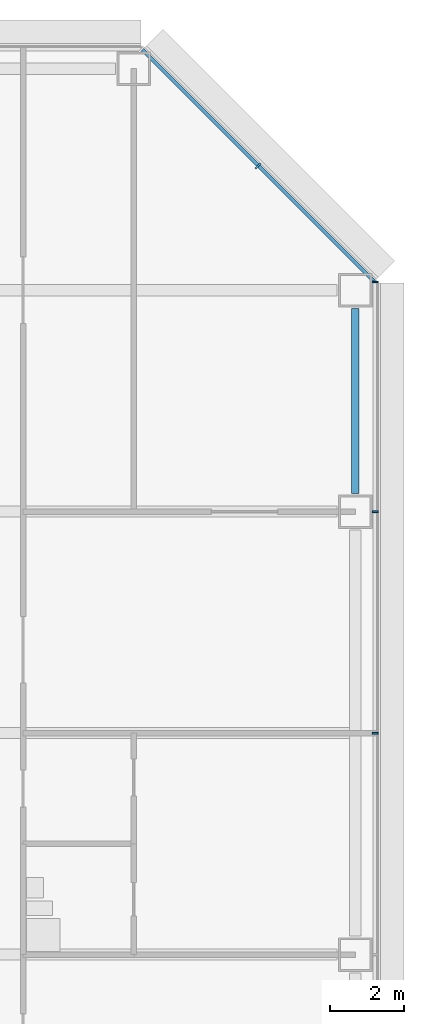
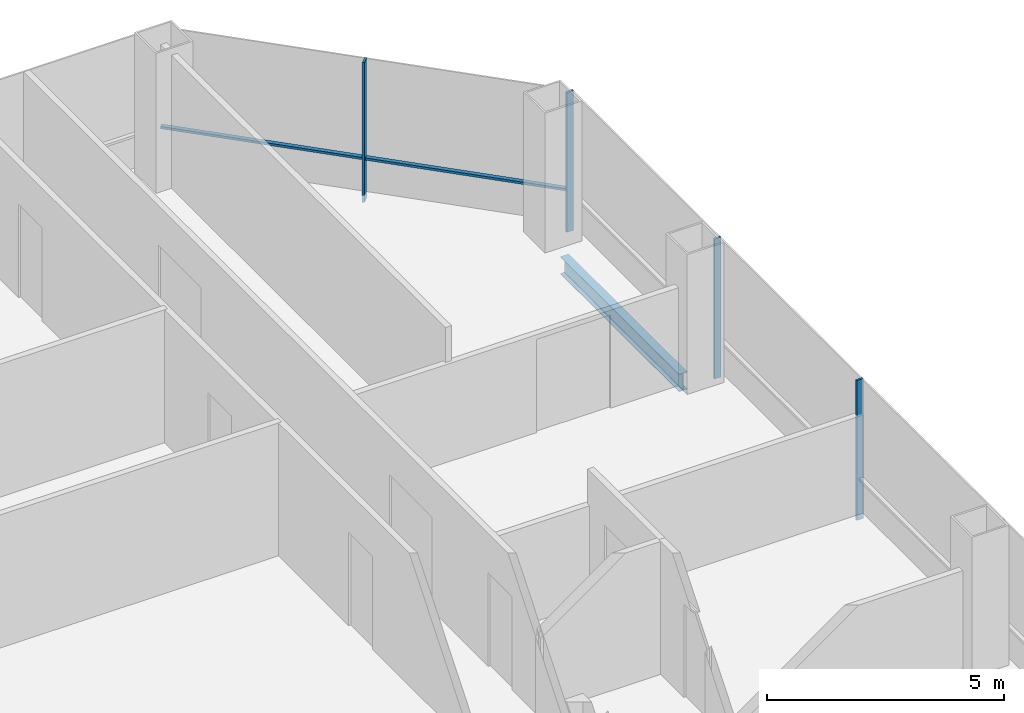
# One storey, part 18 of 27: 5 members, 1 beam, 2 elements without a shape of their own.
"""IFC4 building model written with IfcOpenShell, lengths in metres."""

from ifc_helpers import new_model, si_unit, direction, frame, origin, origin_2d, place, context, subcontext, project, spatial, rectangle, i_section, extrude, material, material_profile, profile_set, type_object, element, aggregate, save


model = new_model("IFC4")

# Units and contexts
model_context = context("Model", 3, precision=1e-05, world=origin(), true_north=direction((0.0, 1.0)))
body_context = subcontext(model_context, "Body", "Model", "MODEL_VIEW")
ifc_project = project(units=[si_unit("LENGTHUNIT", "METRE"), si_unit("AREAUNIT", "SQUARE_METRE"), si_unit("VOLUMEUNIT", "CUBIC_METRE"), si_unit("PLANEANGLEUNIT", "RADIAN"), si_unit("MASSUNIT", "GRAM", prefix="KILO")], contexts=[model_context])

# Site, building, storey
site_placement = place(None, origin())
site = spatial("IfcSite", under=ifc_project, at=site_placement, CompositionType="ELEMENT")
building_placement = place(site_placement, origin())
building = spatial("IfcBuilding", under=site, at=building_placement, Name="Sorahane Residences", CompositionType="ELEMENT")
storey_placement = place(building_placement, frame((0.0, 0.0, 49.800048828125)))
storey = spatial("IfcBuildingStorey", under=building, at=storey_placement, Name="L08", CompositionType="ELEMENT", Elevation=49.800048828125)

# Curtain wall, members
ifc_material_1 = material(Name="Dark low-e glass and black anodised aluminium", Category="aluminium")
curtain_wall_type_1 = type_object("IfcCurtainWallType", Name="Curtain wall CW-1 Typical unitised wall", PredefinedType="NOTDEFINED", material=ifc_material_1)
curtain_wall_1_placement = place(storey_placement, origin())
curtain_wall_1 = element("IfcCurtainWall", 1, at=curtain_wall_1_placement, inside=storey, type_object=curtain_wall_type_1, Name="CW-1 curtain wall L08 E1", PredefinedType="NOTDEFINED")
ifc_material_2 = material(Name="Black anodised aluminium", Category="aluminium")
ifc_material_profile_1 = material_profile(ifc_material_2, rectangle(XDim=0.159912109375, YDim=0.050048828125, at=origin_2d()), Name="Curtain wall mullion CW-1 black anodised aluminium 50x160")
ifc_profile_set_1 = profile_set([ifc_material_profile_1], Name="Black anodised aluminium")
member_type_1 = type_object("IfcMemberType", Name="Curtain wall mullion CW-1 black anodised aluminium 50x160", PredefinedType="MULLION", material=ifc_profile_set_1)
member_1_placement = place(storey_placement, frame((66.5400390625, 30.0, -0.179931640625), z_axis=(0.0, 0.0, 1.0), x_axis=(1.0, 0.0, 0.0)))
member_1 = element("IfcMember", 2, at=member_1_placement, type_object=member_type_1, Name="CW-1 mullion L08 E1.5", PredefinedType="MULLION", context=body_context, shape_type="SweptSolid", body=[
    extrude(rectangle(XDim=0.159912109375, YDim=0.050048828125, at=origin_2d()), origin(), (0.0, 0.0, 1.0), 3.599853515625),
])
member_2_placement = place(storey_placement, frame((66.5400390625, 36.0, -0.179931640625), z_axis=(0.0, 0.0, 1.0), x_axis=(1.0, 0.0, 0.0)))
member_2 = element("IfcMember", 3, at=member_2_placement, type_object=member_type_1, Name="CW-1 mullion L08 E1.6", PredefinedType="MULLION", context=body_context, shape_type="SweptSolid", body=[
    extrude(rectangle(XDim=0.159912109375, YDim=0.050048828125, at=origin_2d()), origin(), (0.0, 0.0, 1.0), 3.599853515625),
])
member_3_placement = place(storey_placement, frame((66.5400390625, 42.2236328125, -0.179931640625), z_axis=(0.0, 0.0, 1.0), x_axis=(1.0, 0.0, 0.0)))
member_3 = element("IfcMember", 4, at=member_3_placement, type_object=member_type_1, Name="CW-1 mullion L08 E1.7", PredefinedType="MULLION", context=body_context, shape_type="SweptSolid", body=[
    extrude(rectangle(XDim=0.159912109375, YDim=0.050048828125, at=origin_2d()), origin(), (0.0, 0.0, 1.0), 3.599853515625),
])
aggregate(curtain_wall_1, [member_1, member_2, member_3])

ifc_material_3 = material(Name="Dark low-e glass and black anodised aluminium", Category="aluminium")
curtain_wall_type_2 = type_object("IfcCurtainWallType", Name="Curtain wall CW-2 Chamfer unitised wall", PredefinedType="NOTDEFINED", material=ifc_material_3)
curtain_wall_2_placement = place(storey_placement, origin())
curtain_wall_2 = element("IfcCurtainWall", 5, at=curtain_wall_2_placement, inside=storey, type_object=curtain_wall_type_2, Name="CW-2 curtain wall L08 NE1", PredefinedType="NOTDEFINED")
ifc_material_4 = material(Name="Black anodised aluminium", Category="aluminium")
ifc_material_profile_2 = material_profile(ifc_material_4, rectangle(XDim=0.199951171875, YDim=0.050048828125, at=origin_2d()), Name="Curtain wall mullion CW-2 black anodised aluminium 50x200")
ifc_profile_set_2 = profile_set([ifc_material_profile_2], Name="Black anodised aluminium")
member_type_2 = type_object("IfcMemberType", Name="Curtain wall mullion CW-2 black anodised aluminium 50x200", PredefinedType="MULLION", material=ifc_profile_set_2)
member_4_placement = place(storey_placement, frame((63.36767578125, 45.36767578125, -0.179931640625), z_axis=(0.0, 0.0, 1.0), x_axis=(0.707106781187, 0.707106781187, 0.0)))
member_4 = element("IfcMember", 6, at=member_4_placement, type_object=member_type_2, Name="CW-2 mullion L08 NE1.2", PredefinedType="MULLION", context=body_context, shape_type="SweptSolid", body=[
    extrude(rectangle(XDim=0.199951171875, YDim=0.050048828125, at=origin_2d()), origin(), (0.0, 0.0, 1.0), 3.599853515625),
])
ifc_material_5 = material(Name="Black anodised aluminium", Category="aluminium")
ifc_material_profile_3 = material_profile(ifc_material_5, rectangle(XDim=0.10009765625, YDim=0.06005859375, at=origin_2d()), Name="Curtain wall transom CW-2 black anodised aluminium 60x100")
ifc_profile_set_3 = profile_set([ifc_material_profile_3], Name="Black anodised aluminium")
member_type_3 = type_object("IfcMemberType", Name="Curtain wall transom CW-2 black anodised aluminium 60x100", PredefinedType="USERDEFINED", material=ifc_profile_set_3)
member_5_placement = place(storey_placement, frame((66.51513671875, 42.234375, 0.89990234375), z_axis=(-0.707106781187, 0.707106781187, 0.0), x_axis=(-0.707106781187, -0.707106781187, 0.0)))
member_5 = element("IfcMember", 7, at=member_5_placement, type_object=member_type_3, Name="CW-2 transom L08 NE1", ObjectType="TRANSOM", PredefinedType="USERDEFINED", context=body_context, shape_type="SweptSolid", body=[
    extrude(rectangle(XDim=0.10009765625, YDim=0.06005859375, at=origin_2d()), origin(), (0.0, 0.0, 1.0), 8.88232421875),
])
aggregate(curtain_wall_2, [member_4, member_5])

# Beam
ifc_material_6 = material(Name="Steel Q355B", Category="steel")
ifc_material_profile_4 = material_profile(ifc_material_6, i_section(OverallWidth=0.199951171875, OverallDepth=0.449951171875, WebThickness=0.009033203125, FlangeThickness=0.013916015625, FilletRadius=0.02001953125, at=origin_2d()), Name="HN 450x200x9x14")
ifc_profile_set_4 = profile_set([ifc_material_profile_4], Name="Steel Q355B")
beam_type = type_object("IfcBeamType", Name="Steel floor beam HN 450x200x9x14 Q355B", PredefinedType="BEAM", material=ifc_profile_set_4)
beam_placement = place(storey_placement, frame((66.0, 36.5, -0.405029296875), z_axis=(0.0, 1.0, 0.0), x_axis=(-1.0, 0.0, 0.0)))
element("IfcBeam", 8, at=beam_placement, inside=storey, type_object=beam_type, Name="Beam L08 060", PredefinedType="BEAM", context=body_context, shape_type="SweptSolid", body=[
    extrude(i_section(OverallWidth=0.199951171875, OverallDepth=0.449951171875, WebThickness=0.009033203125, FlangeThickness=0.013916015625, FilletRadius=0.02001953125, at=origin_2d()), origin(), (0.0, 0.0, 1.0), 5.0),
])

save(model, "model.ifc")
